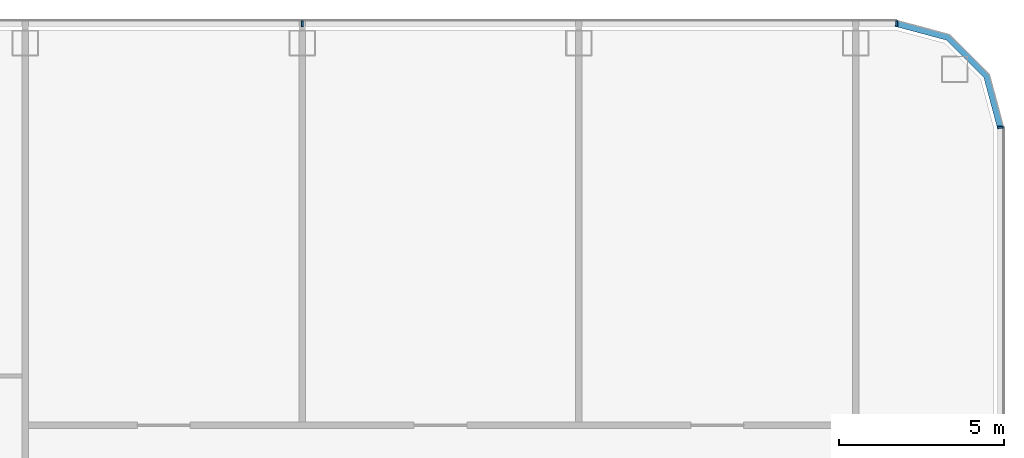
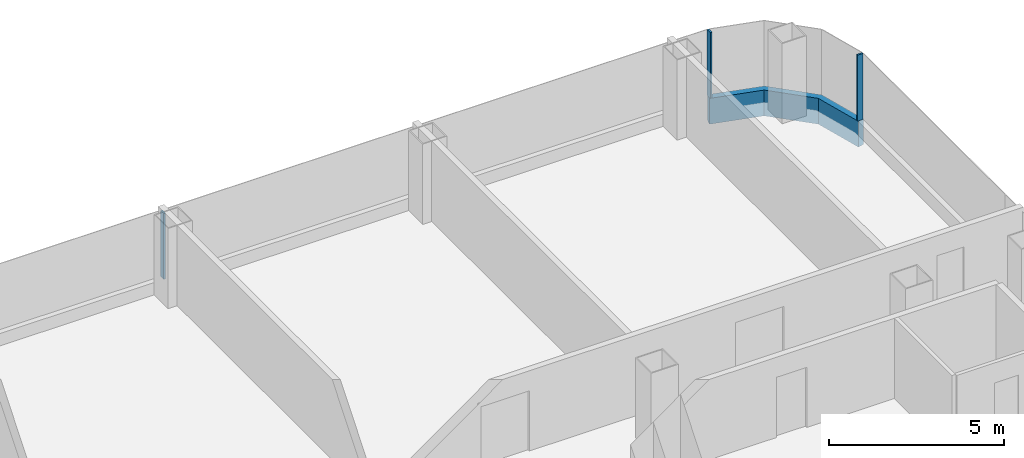
# One storey, part 13 of 29: 4 members, 3 elements without a shape of their own.
"""IFC4 building model written with IfcOpenShell, lengths in metres."""

from ifc_helpers import new_model, si_unit, direction, frame, origin, origin_2d, place, context, subcontext, project, spatial, polyline, rectangle, outline, extrude, material, layer, layer_set, material_profile, profile_set, type_object, element, aggregate, save


model = new_model("IFC4")

# Units and contexts
model_context = context("Model", 3, precision=1e-05, world=origin(), true_north=direction((0.0, 1.0)))
body_context = subcontext(model_context, "Body", "Model", "MODEL_VIEW")
ifc_project = project(units=[si_unit("LENGTHUNIT", "METRE"), si_unit("AREAUNIT", "SQUARE_METRE"), si_unit("VOLUMEUNIT", "CUBIC_METRE"), si_unit("PLANEANGLEUNIT", "RADIAN"), si_unit("MASSUNIT", "GRAM", prefix="KILO")], contexts=[model_context])

# Site, building, storey
site_placement = place(None, origin())
site = spatial("IfcSite", under=ifc_project, at=site_placement, CompositionType="ELEMENT")
building_placement = place(site_placement, origin())
building = spatial("IfcBuilding", under=site, at=building_placement, Name="Hakoniwa Tower and Hamabe Station Hall", CompositionType="ELEMENT")
storey_placement = place(building_placement, frame((0.0, 0.0, 101.0)))
storey = spatial("IfcBuildingStorey", under=building, at=storey_placement, Name="L28", CompositionType="ELEMENT", Elevation=101.0)

# Curtain wall, member
ifc_material_1 = material(Name="Dark low-e laminated glass", Category="glass")
ifc_layer = layer(ifc_material_1, 0.199951171875)
ifc_layer_set = layer_set([ifc_layer], Name="CW-1 UNITISED GUEST")
curtain_wall_type = type_object("IfcCurtainWallType", Name="CW-1 UNITISED GUEST", PredefinedType="NOTDEFINED", material=ifc_layer_set)
curtain_wall_1_placement = place(storey_placement, origin())
curtain_wall_1 = element("IfcCurtainWall", 1, at=curtain_wall_1_placement, inside=storey, type_object=curtain_wall_type, Name="CW-1 curtain wall", PredefinedType="NOTDEFINED")
ifc_material_2 = material(Name="Aluminium 6063-T5 black anodised", Category="aluminium")
ifc_material_profile_1 = material_profile(ifc_material_2, rectangle(XDim=0.199951171875, YDim=0.89990234375, at=origin_2d()), Name="CW SLAB-EDGE BAND 900X200")
ifc_profile_set_1 = profile_set([ifc_material_profile_1], Name="Aluminium 6063-T5 black anodised")
member_type_1 = type_object("IfcMemberType", Name="CW SLAB-EDGE BAND 900X200", PredefinedType="USERDEFINED", material=ifc_profile_set_1)
member_1_placement = place(storey_placement, frame((0.0, 0.0, -0.550048828125)))
member_1 = element("IfcMember", 2, at=member_1_placement, type_object=member_type_1, Name="CW-1 transom", ObjectType="TRANSOM", PredefinedType="USERDEFINED", context=body_context, shape_type="SweptSolid", body=[
    extrude(outline(polyline([(46.5, 20.28955078125), (46.067138671875, 21.9052734375), (44.855224609375, 23.116943359375), (43.239501953125, 23.550048828125), (43.187744140625, 23.35693359375), (44.751708984375, 22.937744140625), (45.8876953125, 21.8017578125), (46.306884765625, 20.23779296875), (46.5, 20.28955078125)])), origin(), (0.0, 0.0, 1.0), 0.900146484375),
])
aggregate(curtain_wall_1, [member_1])

curtain_wall_2_placement = place(storey_placement, origin())
curtain_wall_2 = element("IfcCurtainWall", 3, at=curtain_wall_2_placement, inside=storey, type_object=curtain_wall_type, Name="CW-1 curtain wall", PredefinedType="NOTDEFINED")
ifc_material_3 = material(Name="Aluminium 6063-T5 black anodised", Category="aluminium")
ifc_material_profile_2 = material_profile(ifc_material_3, rectangle(XDim=0.06005859375, YDim=0.179931640625, at=origin_2d()), Name="CW-1 MULLION 60X180")
ifc_profile_set_2 = profile_set([ifc_material_profile_2], Name="Aluminium 6063-T5 black anodised")
member_type_2 = type_object("IfcMemberType", Name="CW-1 MULLION 60X180", PredefinedType="MULLION", material=ifc_profile_set_2)
member_2_placement = place(storey_placement, frame((46.382080078125, 20.28955078125, 0.35009765625), z_axis=(0.0, 0.0, 1.0), x_axis=(0.0, 1.0, 0.0)))
member_2 = element("IfcMember", 4, at=member_2_placement, type_object=member_type_2, Name="CW-1 mullion", PredefinedType="MULLION", context=body_context, shape_type="SweptSolid", body=[
    extrude(rectangle(XDim=0.06005859375, YDim=0.179931640625, at=origin_2d()), origin(), (0.0, 0.0, 1.0), 2.2998046875),
])
aggregate(curtain_wall_2, [member_2])

# Curtain wall, members
curtain_wall_3_placement = place(storey_placement, origin())
curtain_wall_3 = element("IfcCurtainWall", 5, at=curtain_wall_3_placement, inside=storey, type_object=curtain_wall_type, Name="CW-1 curtain wall", PredefinedType="NOTDEFINED")
member_3_placement = place(storey_placement, frame((43.239501953125, 23.431884765625, 0.35009765625), z_axis=(0.0, 0.0, 1.0), x_axis=(-1.0, 0.0, 0.0)))
member_3 = element("IfcMember", 6, at=member_3_placement, type_object=member_type_2, Name="CW-1 mullion", PredefinedType="MULLION", context=body_context, shape_type="SweptSolid", body=[
    extrude(rectangle(XDim=0.06005859375, YDim=0.179931640625, at=origin_2d()), origin(), (0.0, 0.0, 1.0), 2.2998046875),
])
member_4_placement = place(storey_placement, frame((25.199951171875, 23.431884765625, 0.35009765625), z_axis=(0.0, 0.0, 1.0), x_axis=(-1.0, 0.0, 0.0)))
member_4 = element("IfcMember", 7, at=member_4_placement, type_object=member_type_2, Name="CW-1 mullion", PredefinedType="MULLION", context=body_context, shape_type="SweptSolid", body=[
    extrude(rectangle(XDim=0.06005859375, YDim=0.179931640625, at=origin_2d()), origin(), (0.0, 0.0, 1.0), 2.2998046875),
])
aggregate(curtain_wall_3, [member_3, member_4])

save(model, "model.ifc")
